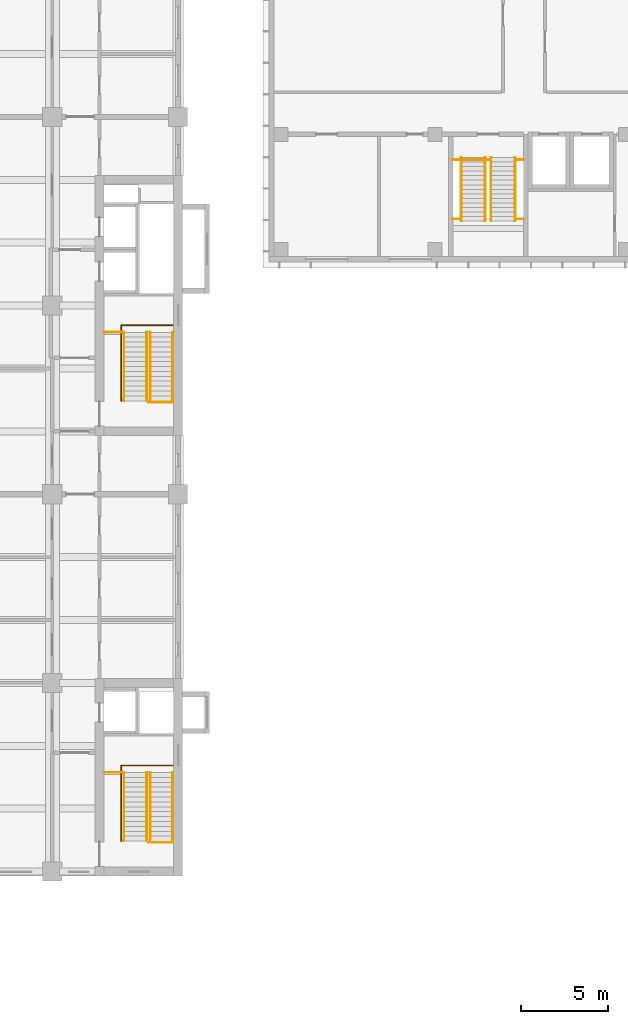
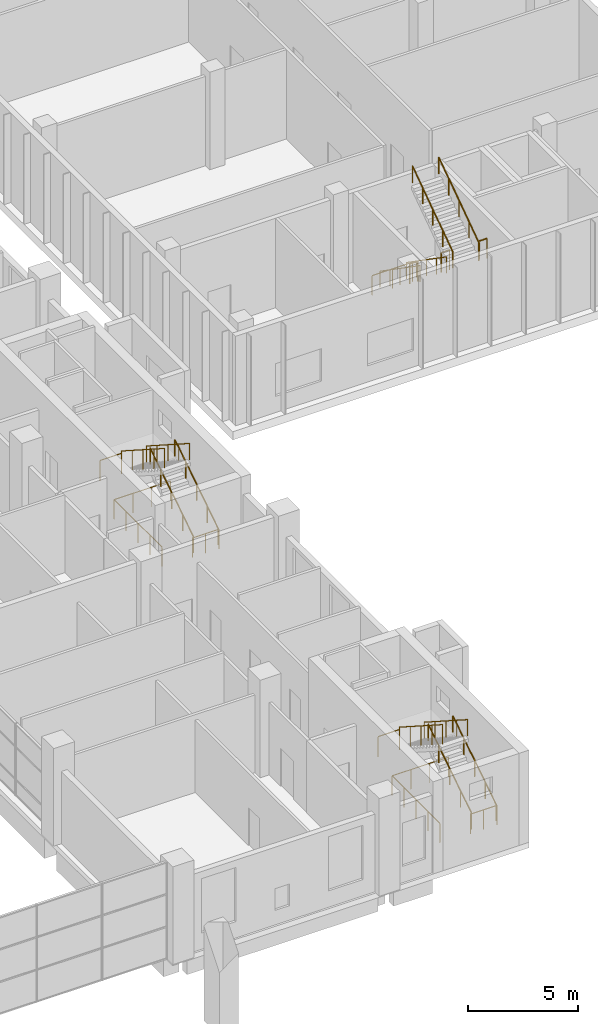
# One storey, part 30 of 32: 22 railings.
"""IFC4 building model written with IfcOpenShell, lengths in metres."""

from ifc_helpers import new_model, si_unit, direction, frame, origin, origin_2d, place, context, subcontext, project, spatial, circle, extrude, material, type_object, element, save


model = new_model("IFC4")

# Units and contexts
model_context = context("Model", 3, precision=1e-05, world=origin(), true_north=direction((0.0, 1.0)))
body_context = subcontext(model_context, "Body", "Model", "MODEL_VIEW")
ifc_project = project(units=[si_unit("LENGTHUNIT", "METRE"), si_unit("AREAUNIT", "SQUARE_METRE"), si_unit("VOLUMEUNIT", "CUBIC_METRE"), si_unit("PLANEANGLEUNIT", "RADIAN"), si_unit("MASSUNIT", "GRAM", prefix="KILO")], contexts=[model_context])

# Site, building, storey
site_placement = place(None, origin())
site = spatial("IfcSite", under=ifc_project, at=site_placement, CompositionType="ELEMENT")
building_placement = place(site_placement, origin())
building = spatial("IfcBuilding", under=site, at=building_placement, Name="Basin Gate Institute", CompositionType="ELEMENT")
storey_placement = place(building_placement, frame((0.0, 0.0, 11.39990234375)))
storey = spatial("IfcBuildingStorey", under=building, at=storey_placement, Name="L02", CompositionType="ELEMENT", Elevation=11.39990234375)

# Railings
ifc_material_1 = material(Name="Stainless steel tube and glass infill", Category="steel")
railing_type_1 = type_object("IfcRailingType", Name="Block railing 1100", PredefinedType="GUARDRAIL", material=ifc_material_1)
railing_1_placement = place(storey_placement, frame((134.52490234375, 75.85498046875, 0.0)))
element("IfcRailing", 1, at=railing_1_placement, inside=storey, type_object=railing_type_1, material=ifc_material_1, Name="Guard stairwell ST-C2 L02", PredefinedType="GUARDRAIL", context=body_context, shape_type="SweptSolid", body=[
    extrude(circle(Radius=0.02392578125, at=origin_2d()), frame((0.0, 0.0, 1.076171875), z_axis=(1.0, 0.0, 0.0), x_axis=(0.0, 1.0, 0.0)), (0.0, 0.0, 1.0), 2.125),
    extrude(circle(Radius=0.02099609375, at=origin_2d()), origin(), (0.0, 0.0, 1.0), 1.052001953125),
    extrude(circle(Radius=0.02099609375, at=origin_2d()), frame((1.0625, 0.0, 0.0)), (0.0, 0.0, 1.0), 1.052001953125),
    extrude(circle(Radius=0.02099609375, at=origin_2d()), frame((2.125, 0.0, 0.0)), (0.0, 0.0, 1.0), 1.052001953125),
])
for number, where, name in (
    (2, (138.14990234375, 75.85498046875, 0.0), "Guard stairwell ST-C2 L02 east"),
    (3, (134.52490234375, 72.455078125, 2.7001953125), "Guard stair landing ST-C3 L02"),
    (4, (138.14990234375, 72.455078125, 2.7001953125), "Guard stair landing ST-C3 L02"),
):
    element("IfcRailing", number, at=place(storey_placement, frame(where)), inside=storey, type_object=railing_type_1, material=ifc_material_1, Name=name, PredefinedType="GUARDRAIL", context=body_context, shape_type="SweptSolid", body=[
        extrude(circle(Radius=0.02392578125, at=origin_2d()), frame((0.0, 0.0, 1.076171875), z_axis=(1.0, 0.0, 0.0), x_axis=(0.0, 1.0, 0.0)), (0.0, 0.0, 1.0), 0.425048828125),
        extrude(circle(Radius=0.02099609375, at=origin_2d()), origin(), (0.0, 0.0, 1.0), 1.052001953125),
        extrude(circle(Radius=0.02099609375, at=origin_2d()), frame((0.425048828125, 0.0, 0.0)), (0.0, 0.0, 1.0), 1.052001953125),
    ])
ifc_material_2 = material(Name="Stainless steel tube and glass infill", Category="steel")
railing_type_2 = type_object("IfcRailingType", Name="Block railing 920", PredefinedType="HANDRAIL", material=ifc_material_2)
for number, where, name in (
    (5, (135.010009765625, 75.97509765625, 0.18017578125), "Handrail ST-C3 flight 1"),
    (6, (136.389892578125, 75.97509765625, 0.18017578125), "Handrail ST-C3 flight 1"),
):
    element("IfcRailing", number, at=place(storey_placement, frame(where)), inside=storey, type_object=railing_type_2, material=ifc_material_2, Name=name, PredefinedType="HANDRAIL", context=body_context, shape_type="SweptSolid", body=[
        extrude(circle(Radius=0.02392578125, at=origin_2d()), frame((0.0, 0.0, 0.89599609375), z_axis=(0.0, -0.82220013233, 0.56919850878), x_axis=(1.0, 0.0, 0.0)), (0.0, 0.0, 1.0), 4.42724609375),
        extrude(circle(Radius=0.02099609375, at=origin_2d()), origin(), (0.0, 0.0, 1.0), 0.871826171875),
        extrude(circle(Radius=0.02099609375, at=origin_2d()), frame((0.0, -0.91015625, 0.6298828125)), (0.0, 0.0, 1.0), 0.871826171875),
        extrude(circle(Radius=0.02099609375, at=origin_2d()), frame((0.0, -1.820068359375, 1.260009765625)), (0.0, 0.0, 1.0), 0.871826171875),
        extrude(circle(Radius=0.02099609375, at=origin_2d()), frame((0.0, -2.72998046875, 1.89013671875)), (0.0, 0.0, 1.0), 0.871826171875),
        extrude(circle(Radius=0.02099609375, at=origin_2d()), frame((0.0, -3.64013671875, 2.52001953125)), (0.0, 0.0, 1.0), 0.871826171875),
    ])
for number, where, name in (
    (7, (136.7099609375, 72.3349609375, 2.880126953125), "Handrail ST-C3 flight 2"),
    (8, (138.090087890625, 72.3349609375, 2.880126953125), "Handrail ST-C3 flight 2"),
):
    element("IfcRailing", number, at=place(storey_placement, frame(where)), inside=storey, type_object=railing_type_2, material=ifc_material_2, Name=name, PredefinedType="HANDRAIL", context=body_context, shape_type="SweptSolid", body=[
        extrude(circle(Radius=0.02392578125, at=origin_2d()), frame((0.0, 0.0, 0.89599609375), z_axis=(0.0, 0.82220013233, 0.56919850878), x_axis=(-1.0, 0.0, 0.0)), (0.0, 0.0, 1.0), 4.42724609375),
        extrude(circle(Radius=0.02099609375, at=origin_2d()), origin(), (0.0, 0.0, 1.0), 0.871826171875),
        extrude(circle(Radius=0.02099609375, at=origin_2d()), frame((0.0, 0.91015625, 0.6298828125)), (0.0, 0.0, 1.0), 0.871826171875),
        extrude(circle(Radius=0.02099609375, at=origin_2d()), frame((0.0, 1.820068359375, 1.260009765625)), (0.0, 0.0, 1.0), 0.871826171875),
        extrude(circle(Radius=0.02099609375, at=origin_2d()), frame((0.0, 2.72998046875, 1.89013671875)), (0.0, 0.0, 1.0), 0.871826171875),
        extrude(circle(Radius=0.02099609375, at=origin_2d()), frame((0.0, 3.64013671875, 2.52001953125)), (0.0, 0.0, 1.0), 0.871826171875),
    ])
ifc_material_3 = material(Name="Stainless steel", Category="steel")
railing_type_3 = type_object("IfcRailingType", Name="Stair guard GR1", PredefinedType="GUARDRAIL", material=ifc_material_3)
railing_2_placement = place(storey_placement, frame((115.550048828125, 36.85009765625, 0.0)))
element("IfcRailing", 9, at=railing_2_placement, inside=storey, type_object=railing_type_3, material=ifc_material_3, Name="Stair guard GR1 ES GD3-L01", PredefinedType="GUARDRAIL", context=body_context, shape_type="SweptSolid", body=[
    extrude(circle(Radius=0.02392578125, at=origin_2d()), frame((0.0, 0.0, 1.076171875), z_axis=(0.0, 1.0, 0.0), x_axis=(-1.0, 0.0, 0.0)), (0.0, 0.0, 1.0), 4.31982421875),
    extrude(circle(Radius=0.02392578125, at=origin_2d()), frame((0.0, 4.31982421875, 1.076171875), z_axis=(1.0, 0.0, 0.0), x_axis=(0.0, 1.0, 0.0)), (0.0, 0.0, 1.0), 2.949951171875),
    extrude(circle(Radius=0.02099609375, at=origin_2d()), origin(), (0.0, 0.0, 1.0), 1.052001953125),
    extrude(circle(Radius=0.02099609375, at=origin_2d()), frame((0.0, 1.080078125, 0.0)), (0.0, 0.0, 1.0), 1.052001953125),
    extrude(circle(Radius=0.02099609375, at=origin_2d()), frame((0.0, 2.159912109375, 0.0)), (0.0, 0.0, 1.0), 1.052001953125),
    extrude(circle(Radius=0.02099609375, at=origin_2d()), frame((0.0, 3.23974609375, 0.0)), (0.0, 0.0, 1.0), 1.052001953125),
    extrude(circle(Radius=0.02099609375, at=origin_2d()), frame((0.0, 4.31982421875, 0.0)), (0.0, 0.0, 1.0), 1.052001953125),
    extrude(circle(Radius=0.02099609375, at=origin_2d()), frame((0.9833984375, 4.31982421875, 0.0)), (0.0, 0.0, 1.0), 1.052001953125),
    extrude(circle(Radius=0.02099609375, at=origin_2d()), frame((1.966552734375, 4.31982421875, 0.0)), (0.0, 0.0, 1.0), 1.052001953125),
    extrude(circle(Radius=0.02099609375, at=origin_2d()), frame((2.949951171875, 4.31982421875, 0.0)), (0.0, 0.0, 1.0), 1.052001953125),
])
railing_3_placement = place(storey_placement, frame((118.5, 36.77001953125, 0.0)))
element("IfcRailing", 10, at=railing_3_placement, inside=storey, type_object=railing_type_3, material=ifc_material_3, Name="Stair guard GR1 ES GD4-L01", PredefinedType="GUARDRAIL", context=body_context, shape_type="SweptSolid", body=[
    extrude(circle(Radius=0.02392578125, at=origin_2d()), frame((0.0, 0.0, 1.076171875), z_axis=(-1.0, 0.0, 0.0), x_axis=(0.0, -1.0, 0.0)), (0.0, 0.0, 1.0), 1.39990234375),
    extrude(circle(Radius=0.02099609375, at=origin_2d()), origin(), (0.0, 0.0, 1.0), 1.052001953125),
    extrude(circle(Radius=0.02099609375, at=origin_2d()), frame((-0.699951171875, 0.0, 0.0)), (0.0, 0.0, 1.0), 1.052001953125),
    extrude(circle(Radius=0.02099609375, at=origin_2d()), frame((-1.39990234375, 0.0, 0.0)), (0.0, 0.0, 1.0), 1.052001953125),
])
railing_4_placement = place(storey_placement, frame((115.550048828125, 62.050048828125, 0.0)))
element("IfcRailing", 11, at=railing_4_placement, inside=storey, type_object=railing_type_3, material=ifc_material_3, Name="Stair guard GR1 EM GD3-L01", PredefinedType="GUARDRAIL", context=body_context, shape_type="SweptSolid", body=[
    extrude(circle(Radius=0.02392578125, at=origin_2d()), frame((0.0, 0.0, 1.076171875), z_axis=(0.0, 1.0, 0.0), x_axis=(-1.0, 0.0, 0.0)), (0.0, 0.0, 1.0), 4.320068359375),
    extrude(circle(Radius=0.02392578125, at=origin_2d()), frame((0.0, 4.320068359375, 1.076171875), z_axis=(1.0, 0.0, 0.0), x_axis=(0.0, 1.0, 0.0)), (0.0, 0.0, 1.0), 2.949951171875),
    extrude(circle(Radius=0.02099609375, at=origin_2d()), origin(), (0.0, 0.0, 1.0), 1.052001953125),
    extrude(circle(Radius=0.02099609375, at=origin_2d()), frame((0.0, 1.080078125, 0.0)), (0.0, 0.0, 1.0), 1.052001953125),
    extrude(circle(Radius=0.02099609375, at=origin_2d()), frame((0.0, 2.16015625, 0.0)), (0.0, 0.0, 1.0), 1.052001953125),
    extrude(circle(Radius=0.02099609375, at=origin_2d()), frame((0.0, 3.239990234375, 0.0)), (0.0, 0.0, 1.0), 1.052001953125),
    extrude(circle(Radius=0.02099609375, at=origin_2d()), frame((0.0, 4.320068359375, 0.0)), (0.0, 0.0, 1.0), 1.052001953125),
    extrude(circle(Radius=0.02099609375, at=origin_2d()), frame((0.9833984375, 4.320068359375, 0.0)), (0.0, 0.0, 1.0), 1.052001953125),
    extrude(circle(Radius=0.02099609375, at=origin_2d()), frame((1.966552734375, 4.320068359375, 0.0)), (0.0, 0.0, 1.0), 1.052001953125),
    extrude(circle(Radius=0.02099609375, at=origin_2d()), frame((2.949951171875, 4.320068359375, 0.0)), (0.0, 0.0, 1.0), 1.052001953125),
])
railing_5_placement = place(storey_placement, frame((118.5, 61.969970703125, 0.0)))
element("IfcRailing", 12, at=railing_5_placement, inside=storey, type_object=railing_type_3, material=ifc_material_3, Name="Stair guard GR1 EM GD4-L01", PredefinedType="GUARDRAIL", context=body_context, shape_type="SweptSolid", body=[
    extrude(circle(Radius=0.02392578125, at=origin_2d()), frame((0.0, 0.0, 1.076171875), z_axis=(-1.0, 0.0, 0.0), x_axis=(0.0, -1.0, 0.0)), (0.0, 0.0, 1.0), 1.39990234375),
    extrude(circle(Radius=0.02099609375, at=origin_2d()), origin(), (0.0, 0.0, 1.0), 1.052001953125),
    extrude(circle(Radius=0.02099609375, at=origin_2d()), frame((-0.699951171875, 0.0, 0.0)), (0.0, 0.0, 1.0), 1.052001953125),
    extrude(circle(Radius=0.02099609375, at=origin_2d()), frame((-1.39990234375, 0.0, 0.0)), (0.0, 0.0, 1.0), 1.052001953125),
])
for number, where, name in (
    (13, (115.699951171875, 40.77001953125, 2.880126953125), "Stair guard GR1 ES GD1"),
    (14, (115.699951171875, 65.969970703125, 2.880126953125), "Stair guard GR1 EM GD1"),
):
    element("IfcRailing", number, at=place(storey_placement, frame(where)), inside=storey, type_object=railing_type_3, material=ifc_material_3, Name=name, PredefinedType="GUARDRAIL", context=body_context, shape_type="SweptSolid", body=[
        extrude(circle(Radius=0.02392578125, at=origin_2d()), frame((0.0, 0.0, 1.076171875), z_axis=(0.0, -0.841171666519, 0.540768182723), x_axis=(1.0, 0.0, 0.0)), (0.0, 0.0, 1.0), 4.66015625),
        extrude(circle(Radius=0.02099609375, at=origin_2d()), origin(), (0.0, 0.0, 1.0), 1.052001953125),
        extrude(circle(Radius=0.02099609375, at=origin_2d()), frame((0.0, -0.97998046875, 0.6298828125)), (0.0, 0.0, 1.0), 1.052001953125),
        extrude(circle(Radius=0.02099609375, at=origin_2d()), frame((0.0, -1.9599609375, 1.260009765625)), (0.0, 0.0, 1.0), 1.052001953125),
        extrude(circle(Radius=0.02099609375, at=origin_2d()), frame((0.0, -2.93994140625, 1.89013671875)), (0.0, 0.0, 1.0), 1.052001953125),
        extrude(circle(Radius=0.02099609375, at=origin_2d()), frame((0.0, -3.919921875, 2.52001953125)), (0.0, 0.0, 1.0), 1.052001953125),
    ])
ifc_material_4 = material(Name="Stainless steel", Category="steel")
railing_type_4 = type_object("IfcRailingType", Name="Stair guard GR3", PredefinedType="GUARDRAIL", material=ifc_material_4)
for number, where, name in (
    (15, (115.699951171875, 40.77001953125, 2.7001953125), "Stair guard GR3 ES GD2"),
    (16, (115.699951171875, 65.969970703125, 2.7001953125), "Stair guard GR3 EM GD2"),
):
    element("IfcRailing", number, at=place(storey_placement, frame(where)), inside=storey, type_object=railing_type_4, material=ifc_material_4, Name=name, PredefinedType="GUARDRAIL", context=body_context, shape_type="SweptSolid", body=[
        extrude(circle(Radius=0.02392578125, at=origin_2d()), frame((0.0, 0.0, 1.1259765625), z_axis=(-1.0, 0.0, 0.0), x_axis=(0.0, -1.0, 0.0)), (0.0, 0.0, 1.0), 1.119873046875),
        extrude(circle(Radius=0.02099609375, at=origin_2d()), origin(), (0.0, 0.0, 1.0), 1.101806640625),
        extrude(circle(Radius=0.02099609375, at=origin_2d()), frame((-1.119873046875, 0.0, 0.0)), (0.0, 0.0, 1.0), 1.101806640625),
    ])
ifc_material_5 = material(Name="Stainless steel", Category="steel")
railing_type_5 = type_object("IfcRailingType", Name="Stair handrail HR1", PredefinedType="HANDRAIL", material=ifc_material_5)
for number, where, name in (
    (17, (118.5, 36.85009765625, 0.18017578125), "Stair handrail HR1 ES HR1"),
    (18, (117.199951171875, 36.85009765625, 0.18017578125), "Stair handrail HR1 ES HR2"),
):
    element("IfcRailing", number, at=place(storey_placement, frame(where)), inside=storey, type_object=railing_type_5, material=ifc_material_5, Name=name, PredefinedType="HANDRAIL", context=body_context, shape_type="SweptSolid", body=[
        extrude(circle(Radius=0.02392578125, at=origin_2d()), frame((0.0, 0.0, 0.89599609375), z_axis=(0.0, 0.841171666519, 0.540768182723), x_axis=(-1.0, 0.0, 0.0)), (0.0, 0.0, 1.0), 4.66015625),
        extrude(circle(Radius=0.02099609375, at=origin_2d()), origin(), (0.0, 0.0, 1.0), 0.871826171875),
        extrude(circle(Radius=0.02099609375, at=origin_2d()), frame((0.0, 0.97998046875, 0.6298828125)), (0.0, 0.0, 1.0), 0.871826171875),
        extrude(circle(Radius=0.02099609375, at=origin_2d()), frame((0.0, 1.9599609375, 1.260009765625)), (0.0, 0.0, 1.0), 0.871826171875),
        extrude(circle(Radius=0.02099609375, at=origin_2d()), frame((0.0, 2.93994140625, 1.89013671875)), (0.0, 0.0, 1.0), 0.871826171875),
        extrude(circle(Radius=0.02099609375, at=origin_2d()), frame((0.0, 3.919921875, 2.52001953125)), (0.0, 0.0, 1.0), 0.871826171875),
    ])
railing_6_placement = place(storey_placement, frame((117.0, 40.77001953125, 2.880126953125)))
element("IfcRailing", 19, at=railing_6_placement, inside=storey, type_object=railing_type_5, material=ifc_material_5, Name="Stair handrail HR1 ES HR3", PredefinedType="HANDRAIL", context=body_context, shape_type="SweptSolid", body=[
    extrude(circle(Radius=0.02392578125, at=origin_2d()), frame((0.0, 0.0, 0.89599609375), z_axis=(0.0, -0.841171666519, 0.540768182723), x_axis=(1.0, 0.0, 0.0)), (0.0, 0.0, 1.0), 4.66015625),
    extrude(circle(Radius=0.02099609375, at=origin_2d()), origin(), (0.0, 0.0, 1.0), 0.871826171875),
    extrude(circle(Radius=0.02099609375, at=origin_2d()), frame((0.0, -0.97998046875, 0.6298828125)), (0.0, 0.0, 1.0), 0.871826171875),
    extrude(circle(Radius=0.02099609375, at=origin_2d()), frame((0.0, -1.9599609375, 1.260009765625)), (0.0, 0.0, 1.0), 0.871826171875),
    extrude(circle(Radius=0.02099609375, at=origin_2d()), frame((0.0, -2.93994140625, 1.89013671875)), (0.0, 0.0, 1.0), 0.871826171875),
    extrude(circle(Radius=0.02099609375, at=origin_2d()), frame((0.0, -3.919921875, 2.52001953125)), (0.0, 0.0, 1.0), 0.871826171875),
])
for number, where, name in (
    (20, (118.5, 62.050048828125, 0.18017578125), "Stair handrail HR1 EM HR1"),
    (21, (117.199951171875, 62.050048828125, 0.18017578125), "Stair handrail HR1 EM HR2"),
):
    element("IfcRailing", number, at=place(storey_placement, frame(where)), inside=storey, type_object=railing_type_5, material=ifc_material_5, Name=name, PredefinedType="HANDRAIL", context=body_context, shape_type="SweptSolid", body=[
        extrude(circle(Radius=0.02392578125, at=origin_2d()), frame((0.0, 0.0, 0.89599609375), z_axis=(0.0, 0.841171666519, 0.540768182723), x_axis=(-1.0, 0.0, 0.0)), (0.0, 0.0, 1.0), 4.66015625),
        extrude(circle(Radius=0.02099609375, at=origin_2d()), origin(), (0.0, 0.0, 1.0), 0.871826171875),
        extrude(circle(Radius=0.02099609375, at=origin_2d()), frame((0.0, 0.97998046875, 0.6298828125)), (0.0, 0.0, 1.0), 0.871826171875),
        extrude(circle(Radius=0.02099609375, at=origin_2d()), frame((0.0, 1.9599609375, 1.260009765625)), (0.0, 0.0, 1.0), 0.871826171875),
        extrude(circle(Radius=0.02099609375, at=origin_2d()), frame((0.0, 2.93994140625, 1.89013671875)), (0.0, 0.0, 1.0), 0.871826171875),
        extrude(circle(Radius=0.02099609375, at=origin_2d()), frame((0.0, 3.919921875, 2.52001953125)), (0.0, 0.0, 1.0), 0.871826171875),
    ])
railing_7_placement = place(storey_placement, frame((117.0, 65.969970703125, 2.880126953125)))
element("IfcRailing", 22, at=railing_7_placement, inside=storey, type_object=railing_type_5, material=ifc_material_5, Name="Stair handrail HR1 EM HR3", PredefinedType="HANDRAIL", context=body_context, shape_type="SweptSolid", body=[
    extrude(circle(Radius=0.02392578125, at=origin_2d()), frame((0.0, 0.0, 0.89599609375), z_axis=(0.0, -0.841171666519, 0.540768182723), x_axis=(1.0, 0.0, 0.0)), (0.0, 0.0, 1.0), 4.66015625),
    extrude(circle(Radius=0.02099609375, at=origin_2d()), origin(), (0.0, 0.0, 1.0), 0.871826171875),
    extrude(circle(Radius=0.02099609375, at=origin_2d()), frame((0.0, -0.97998046875, 0.6298828125)), (0.0, 0.0, 1.0), 0.871826171875),
    extrude(circle(Radius=0.02099609375, at=origin_2d()), frame((0.0, -1.9599609375, 1.260009765625)), (0.0, 0.0, 1.0), 0.871826171875),
    extrude(circle(Radius=0.02099609375, at=origin_2d()), frame((0.0, -2.93994140625, 1.89013671875)), (0.0, 0.0, 1.0), 0.871826171875),
    extrude(circle(Radius=0.02099609375, at=origin_2d()), frame((0.0, -3.919921875, 2.52001953125)), (0.0, 0.0, 1.0), 0.871826171875),
])

save(model, "model.ifc")
